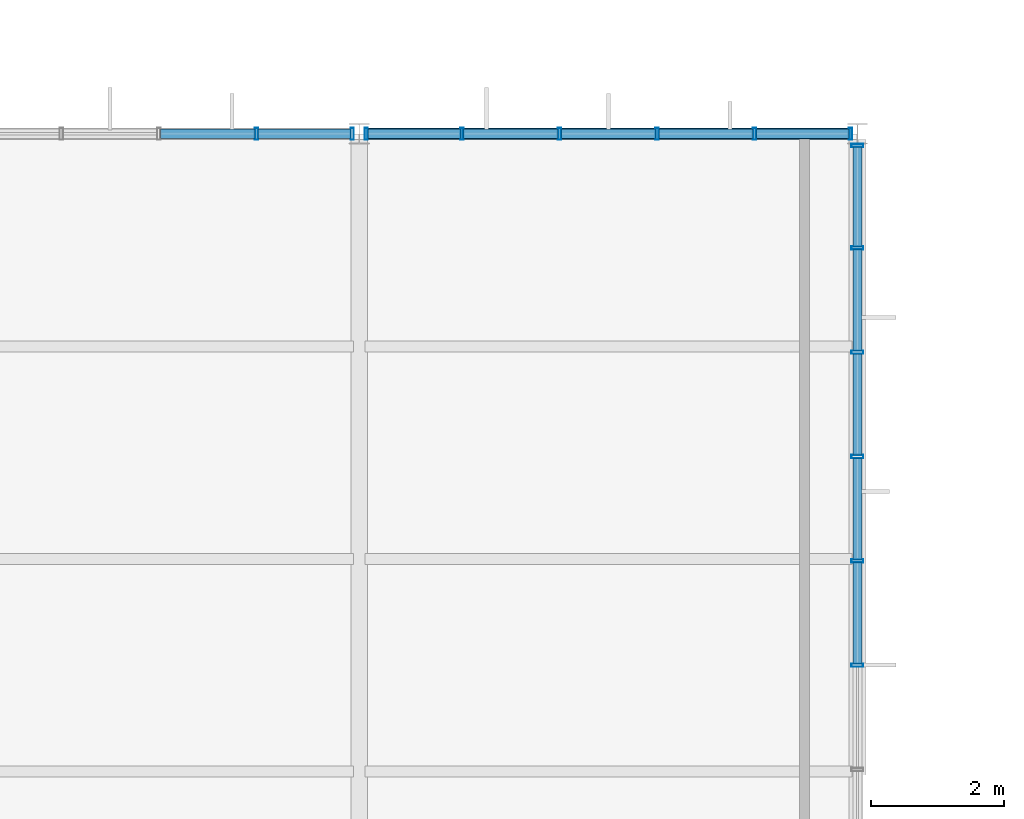
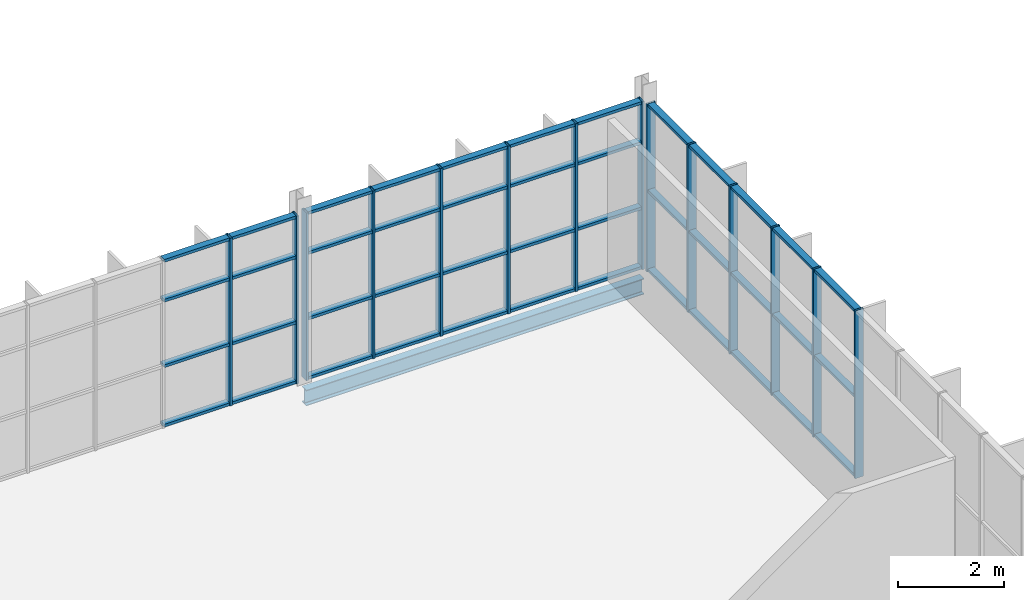
# One storey, part 65 of 324: 57 members, 1 beam, 3 elements without a shape of their own.
"""IFC4 building model written with IfcOpenShell, lengths in metres."""

from ifc_helpers import new_model, si_unit, direction, frame, origin, origin_2d, place, context, subcontext, project, spatial, hollow_rectangle, i_section, extrude, material, layer, layer_set, material_profile, profile_set, type_object, element, aggregate, save


model = new_model("IFC4")

# Units and contexts
model_context = context("Model", 3, precision=1e-05, world=origin(), true_north=direction((0.0, 1.0)))
body_context = subcontext(model_context, "Body", "Model", "MODEL_VIEW")
ifc_project = project(units=[si_unit("LENGTHUNIT", "METRE"), si_unit("AREAUNIT", "SQUARE_METRE"), si_unit("VOLUMEUNIT", "CUBIC_METRE"), si_unit("PLANEANGLEUNIT", "RADIAN"), si_unit("MASSUNIT", "GRAM", prefix="KILO")], contexts=[model_context])

# Site, building, storey
site_placement = place(None, origin())
site = spatial("IfcSite", under=ifc_project, at=site_placement, CompositionType="ELEMENT")
building_placement = place(site_placement, origin())
building = spatial("IfcBuilding", under=site, at=building_placement, Name="Solvenia Promenade Tram Depot", CompositionType="ELEMENT")
storey_placement = place(building_placement, frame((0.0, 0.0, 4.5)))
storey = spatial("IfcBuildingStorey", under=building, at=storey_placement, Name="L01", CompositionType="ELEMENT", Elevation=4.5)

# Curtain wall, members
ifc_material_1 = material(Name="Anodized aluminium AW-6063 T6", Category="aluminium")
ifc_layer = layer(ifc_material_1, 0.14990234375, Name="Anodized aluminium AW-6063 T6", Category="aluminium")
ifc_layer_set = layer_set([ifc_layer], Name="Anodized aluminium AW-6063 T6")
curtain_wall_type = type_object("IfcCurtainWallType", Name="CW-Court-1500", PredefinedType="NOTDEFINED", material=ifc_layer_set)
curtain_wall_1_placement = place(storey_placement, origin())
curtain_wall_1 = element("IfcCurtainWall", 1, at=curtain_wall_1_placement, inside=storey, type_object=curtain_wall_type, Name="Curtain Wall CW-V4N-L01-11", PredefinedType="NOTDEFINED")
ifc_material_profile_1 = material_profile(ifc_material_1, hollow_rectangle(XDim=0.179931640625, YDim=0.050048828125, WallThickness=0.00390625, at=origin_2d()), Name="ALU-M2", Category="aluminium")
ifc_profile_set_1 = profile_set([ifc_material_profile_1], Name="Anodized aluminium AW-6063 T6")
member_type_1 = type_object("IfcMemberType", Name="CWM-Mullion-2", PredefinedType="MULLION", material=ifc_profile_set_1)
member_1_placement = place(storey_placement, frame((80.951904296875, 24.0, 0.0), z_axis=(0.0, 0.0, 1.0), x_axis=(0.0, 1.0, 0.0)))
member_1 = element("IfcMember", 2, at=member_1_placement, type_object=member_type_1, Name="CW-5 mullion 5", PredefinedType="MULLION", context=body_context, shape_type="SweptSolid", body=[
    extrude(hollow_rectangle(XDim=0.179931640625, YDim=0.050048828125, WallThickness=0.00390625, at=origin_2d()), origin(), (0.0, 0.0, 1.0), 3.85009765625),
])
member_2_placement = place(storey_placement, frame((82.39501953125, 24.0, 0.0), z_axis=(0.0, 0.0, 1.0), x_axis=(0.0, 1.0, 0.0)))
member_2 = element("IfcMember", 3, at=member_2_placement, type_object=member_type_1, Name="CW-5 mullion 6", PredefinedType="MULLION", context=body_context, shape_type="SweptSolid", body=[
    extrude(hollow_rectangle(XDim=0.179931640625, YDim=0.050048828125, WallThickness=0.00390625, at=origin_2d()), origin(), (0.0, 0.0, 1.0), 3.85009765625),
])

curtain_wall_2_placement = place(storey_placement, origin())
curtain_wall_2 = element("IfcCurtainWall", 4, at=curtain_wall_2_placement, inside=storey, type_object=curtain_wall_type, Name="Curtain Wall CW-V4N-L01-12", PredefinedType="NOTDEFINED")
member_3_placement = place(storey_placement, frame((82.60498046875, 24.0, 0.0), z_axis=(0.0, 0.0, 1.0), x_axis=(0.0, 1.0, 0.0)))
member_3 = element("IfcMember", 5, at=member_3_placement, type_object=member_type_1, Name="CW-5 mullion 1", PredefinedType="MULLION", context=body_context, shape_type="SweptSolid", body=[
    extrude(hollow_rectangle(XDim=0.179931640625, YDim=0.050048828125, WallThickness=0.00390625, at=origin_2d()), origin(), (0.0, 0.0, 1.0), 3.85009765625),
])
member_4_placement = place(storey_placement, frame((84.048095703125, 24.0, 0.0), z_axis=(0.0, 0.0, 1.0), x_axis=(0.0, 1.0, 0.0)))
member_4 = element("IfcMember", 6, at=member_4_placement, type_object=member_type_1, Name="CW-5 mullion 2", PredefinedType="MULLION", context=body_context, shape_type="SweptSolid", body=[
    extrude(hollow_rectangle(XDim=0.179931640625, YDim=0.050048828125, WallThickness=0.00390625, at=origin_2d()), origin(), (0.0, 0.0, 1.0), 3.85009765625),
])
member_5_placement = place(storey_placement, frame((85.51611328125, 24.0, 0.0), z_axis=(0.0, 0.0, 1.0), x_axis=(0.0, 1.0, 0.0)))
member_5 = element("IfcMember", 7, at=member_5_placement, type_object=member_type_1, Name="CW-5 mullion 3", PredefinedType="MULLION", context=body_context, shape_type="SweptSolid", body=[
    extrude(hollow_rectangle(XDim=0.179931640625, YDim=0.050048828125, WallThickness=0.00390625, at=origin_2d()), origin(), (0.0, 0.0, 1.0), 3.85009765625),
])
member_6_placement = place(storey_placement, frame((86.98388671875, 24.0, 0.0), z_axis=(0.0, 0.0, 1.0), x_axis=(0.0, 1.0, 0.0)))
member_6 = element("IfcMember", 8, at=member_6_placement, type_object=member_type_1, Name="CW-5 mullion 4", PredefinedType="MULLION", context=body_context, shape_type="SweptSolid", body=[
    extrude(hollow_rectangle(XDim=0.179931640625, YDim=0.050048828125, WallThickness=0.00390625, at=origin_2d()), origin(), (0.0, 0.0, 1.0), 3.85009765625),
])
member_7_placement = place(storey_placement, frame((88.451904296875, 24.0, 0.0), z_axis=(0.0, 0.0, 1.0), x_axis=(0.0, 1.0, 0.0)))
member_7 = element("IfcMember", 9, at=member_7_placement, type_object=member_type_1, Name="CW-5 mullion 5", PredefinedType="MULLION", context=body_context, shape_type="SweptSolid", body=[
    extrude(hollow_rectangle(XDim=0.179931640625, YDim=0.050048828125, WallThickness=0.00390625, at=origin_2d()), origin(), (0.0, 0.0, 1.0), 3.85009765625),
])
member_8_placement = place(storey_placement, frame((89.89501953125, 24.0, 0.0), z_axis=(0.0, 0.0, 1.0), x_axis=(0.0, 1.0, 0.0)))
member_8 = element("IfcMember", 10, at=member_8_placement, type_object=member_type_1, Name="CW-5 mullion 6", PredefinedType="MULLION", context=body_context, shape_type="SweptSolid", body=[
    extrude(hollow_rectangle(XDim=0.179931640625, YDim=0.050048828125, WallThickness=0.00390625, at=origin_2d()), origin(), (0.0, 0.0, 1.0), 3.85009765625),
])

curtain_wall_3_placement = place(storey_placement, origin())
curtain_wall_3 = element("IfcCurtainWall", 11, at=curtain_wall_3_placement, inside=storey, type_object=curtain_wall_type, Name="Curtain Wall CW-V4E-L01", PredefinedType="NOTDEFINED")
member_9_placement = place(storey_placement, frame((90.0, 16.0, 0.0), z_axis=(0.0, 0.0, 1.0), x_axis=(-1.0, 0.0, 0.0)))
member_9 = element("IfcMember", 12, at=member_9_placement, type_object=member_type_1, Name="CW-5 mullion 6", PredefinedType="MULLION", context=body_context, shape_type="SweptSolid", body=[
    extrude(hollow_rectangle(XDim=0.179931640625, YDim=0.050048828125, WallThickness=0.00390625, at=origin_2d()), origin(), (0.0, 0.0, 1.0), 3.85009765625),
])
member_10_placement = place(storey_placement, frame((90.0, 17.570068359375, 0.0), z_axis=(0.0, 0.0, 1.0), x_axis=(-1.0, 0.0, 0.0)))
member_10 = element("IfcMember", 13, at=member_10_placement, type_object=member_type_1, Name="CW-5 mullion 7", PredefinedType="MULLION", context=body_context, shape_type="SweptSolid", body=[
    extrude(hollow_rectangle(XDim=0.179931640625, YDim=0.050048828125, WallThickness=0.00390625, at=origin_2d()), origin(), (0.0, 0.0, 1.0), 3.85009765625),
])
member_11_placement = place(storey_placement, frame((90.0, 19.139892578125, 0.0), z_axis=(0.0, 0.0, 1.0), x_axis=(-1.0, 0.0, 0.0)))
member_11 = element("IfcMember", 14, at=member_11_placement, type_object=member_type_1, Name="CW-5 mullion 8", PredefinedType="MULLION", context=body_context, shape_type="SweptSolid", body=[
    extrude(hollow_rectangle(XDim=0.179931640625, YDim=0.050048828125, WallThickness=0.00390625, at=origin_2d()), origin(), (0.0, 0.0, 1.0), 3.85009765625),
])
member_12_placement = place(storey_placement, frame((90.0, 20.7099609375, 0.0), z_axis=(0.0, 0.0, 1.0), x_axis=(-1.0, 0.0, 0.0)))
member_12 = element("IfcMember", 15, at=member_12_placement, type_object=member_type_1, Name="CW-5 mullion 9", PredefinedType="MULLION", context=body_context, shape_type="SweptSolid", body=[
    extrude(hollow_rectangle(XDim=0.179931640625, YDim=0.050048828125, WallThickness=0.00390625, at=origin_2d()), origin(), (0.0, 0.0, 1.0), 3.85009765625),
])
member_13_placement = place(storey_placement, frame((90.0, 22.280029296875, 0.0), z_axis=(0.0, 0.0, 1.0), x_axis=(-1.0, 0.0, 0.0)))
member_13 = element("IfcMember", 16, at=member_13_placement, type_object=member_type_1, Name="CW-5 mullion 10", PredefinedType="MULLION", context=body_context, shape_type="SweptSolid", body=[
    extrude(hollow_rectangle(XDim=0.179931640625, YDim=0.050048828125, WallThickness=0.00390625, at=origin_2d()), origin(), (0.0, 0.0, 1.0), 3.85009765625),
])
member_14_placement = place(storey_placement, frame((90.0, 23.824951171875, 0.0), z_axis=(0.0, 0.0, 1.0), x_axis=(-1.0, 0.0, 0.0)))
member_14 = element("IfcMember", 17, at=member_14_placement, type_object=member_type_1, Name="CW-5 mullion 11", PredefinedType="MULLION", context=body_context, shape_type="SweptSolid", body=[
    extrude(hollow_rectangle(XDim=0.179931640625, YDim=0.050048828125, WallThickness=0.00390625, at=origin_2d()), origin(), (0.0, 0.0, 1.0), 3.85009765625),
])

# Member
ifc_material_profile_2 = material_profile(ifc_material_1, hollow_rectangle(XDim=0.139892578125, YDim=0.06494140625, WallThickness=0.00390625, at=origin_2d()), Name="ALU-T2", Category="aluminium")
ifc_profile_set_2 = profile_set([ifc_material_profile_2], Name="Anodized aluminium AW-6063 T6")
member_type_2 = type_object("IfcMemberType", Name="CWT-Transom-2", PredefinedType="USERDEFINED", material=ifc_profile_set_2)
member_15_placement = place(storey_placement, frame((79.509033203125, 24.0, 0.032470703125), z_axis=(1.0, 0.0, 0.0), x_axis=(0.0, 1.0, 0.0)))
member_15 = element("IfcMember", 18, at=member_15_placement, type_object=member_type_2, Name="CW-5 transom 4.1", ObjectType="TRANSOM", PredefinedType="USERDEFINED", context=body_context, shape_type="SweptSolid", body=[
    extrude(hollow_rectangle(XDim=0.139892578125, YDim=0.06494140625, WallThickness=0.00390625, at=origin_2d()), origin(), (0.0, 0.0, 1.0), 1.41796875),
])

member_16_placement = place(storey_placement, frame((79.509033203125, 24.0, 1.39990234375), z_axis=(1.0, 0.0, 0.0), x_axis=(0.0, 1.0, 0.0)))
member_16 = element("IfcMember", 19, at=member_16_placement, type_object=member_type_2, Name="CW-5 transom 4.2", ObjectType="TRANSOM", PredefinedType="USERDEFINED", context=body_context, shape_type="SweptSolid", body=[
    extrude(hollow_rectangle(XDim=0.139892578125, YDim=0.06494140625, WallThickness=0.00390625, at=origin_2d()), origin(), (0.0, 0.0, 1.0), 1.41796875),
])

member_17_placement = place(storey_placement, frame((79.509033203125, 24.0, 2.89990234375), z_axis=(1.0, 0.0, 0.0), x_axis=(0.0, 1.0, 0.0)))
member_17 = element("IfcMember", 20, at=member_17_placement, type_object=member_type_2, Name="CW-5 transom 4.3", ObjectType="TRANSOM", PredefinedType="USERDEFINED", context=body_context, shape_type="SweptSolid", body=[
    extrude(hollow_rectangle(XDim=0.139892578125, YDim=0.06494140625, WallThickness=0.00390625, at=origin_2d()), origin(), (0.0, 0.0, 1.0), 1.41796875),
])

member_18_placement = place(storey_placement, frame((79.509033203125, 24.0, 3.8173828125), z_axis=(1.0, 0.0, 0.0), x_axis=(0.0, 1.0, 0.0)))
member_18 = element("IfcMember", 21, at=member_18_placement, type_object=member_type_2, Name="CW-5 transom 4.4", ObjectType="TRANSOM", PredefinedType="USERDEFINED", context=body_context, shape_type="SweptSolid", body=[
    extrude(hollow_rectangle(XDim=0.139892578125, YDim=0.06494140625, WallThickness=0.00390625, at=origin_2d()), origin(), (0.0, 0.0, 1.0), 1.41796875),
])

member_19_placement = place(storey_placement, frame((80.97705078125, 24.0, 0.032470703125), z_axis=(1.0, 0.0, 0.0), x_axis=(0.0, 1.0, 0.0)))
member_19 = element("IfcMember", 22, at=member_19_placement, type_object=member_type_2, Name="CW-5 transom 5.1", ObjectType="TRANSOM", PredefinedType="USERDEFINED", context=body_context, shape_type="SweptSolid", body=[
    extrude(hollow_rectangle(XDim=0.139892578125, YDim=0.06494140625, WallThickness=0.00390625, at=origin_2d()), origin(), (0.0, 0.0, 1.0), 1.39306640625),
])

member_20_placement = place(storey_placement, frame((80.97705078125, 24.0, 1.39990234375), z_axis=(1.0, 0.0, 0.0), x_axis=(0.0, 1.0, 0.0)))
member_20 = element("IfcMember", 23, at=member_20_placement, type_object=member_type_2, Name="CW-5 transom 5.2", ObjectType="TRANSOM", PredefinedType="USERDEFINED", context=body_context, shape_type="SweptSolid", body=[
    extrude(hollow_rectangle(XDim=0.139892578125, YDim=0.06494140625, WallThickness=0.00390625, at=origin_2d()), origin(), (0.0, 0.0, 1.0), 1.39306640625),
])

member_21_placement = place(storey_placement, frame((80.97705078125, 24.0, 2.89990234375), z_axis=(1.0, 0.0, 0.0), x_axis=(0.0, 1.0, 0.0)))
member_21 = element("IfcMember", 24, at=member_21_placement, type_object=member_type_2, Name="CW-5 transom 5.3", ObjectType="TRANSOM", PredefinedType="USERDEFINED", context=body_context, shape_type="SweptSolid", body=[
    extrude(hollow_rectangle(XDim=0.139892578125, YDim=0.06494140625, WallThickness=0.00390625, at=origin_2d()), origin(), (0.0, 0.0, 1.0), 1.39306640625),
])

member_22_placement = place(storey_placement, frame((80.97705078125, 24.0, 3.8173828125), z_axis=(1.0, 0.0, 0.0), x_axis=(0.0, 1.0, 0.0)))
member_22 = element("IfcMember", 25, at=member_22_placement, type_object=member_type_2, Name="CW-5 transom 5.4", ObjectType="TRANSOM", PredefinedType="USERDEFINED", context=body_context, shape_type="SweptSolid", body=[
    extrude(hollow_rectangle(XDim=0.139892578125, YDim=0.06494140625, WallThickness=0.00390625, at=origin_2d()), origin(), (0.0, 0.0, 1.0), 1.39306640625),
])

aggregate(curtain_wall_1, [member_1, member_2, member_15, member_16, member_17, member_18, member_19, member_20, member_21, member_22])

member_23_placement = place(storey_placement, frame((82.6298828125, 24.0, 0.032470703125), z_axis=(1.0, 0.0, 0.0), x_axis=(0.0, 1.0, 0.0)))
member_23 = element("IfcMember", 26, at=member_23_placement, type_object=member_type_2, Name="CW-5 transom 1.1", ObjectType="TRANSOM", PredefinedType="USERDEFINED", context=body_context, shape_type="SweptSolid", body=[
    extrude(hollow_rectangle(XDim=0.139892578125, YDim=0.06494140625, WallThickness=0.00390625, at=origin_2d()), origin(), (0.0, 0.0, 1.0), 1.39306640625),
])

member_24_placement = place(storey_placement, frame((82.6298828125, 24.0, 1.39990234375), z_axis=(1.0, 0.0, 0.0), x_axis=(0.0, 1.0, 0.0)))
member_24 = element("IfcMember", 27, at=member_24_placement, type_object=member_type_2, Name="CW-5 transom 1.2", ObjectType="TRANSOM", PredefinedType="USERDEFINED", context=body_context, shape_type="SweptSolid", body=[
    extrude(hollow_rectangle(XDim=0.139892578125, YDim=0.06494140625, WallThickness=0.00390625, at=origin_2d()), origin(), (0.0, 0.0, 1.0), 1.39306640625),
])

member_25_placement = place(storey_placement, frame((82.6298828125, 24.0, 2.89990234375), z_axis=(1.0, 0.0, 0.0), x_axis=(0.0, 1.0, 0.0)))
member_25 = element("IfcMember", 28, at=member_25_placement, type_object=member_type_2, Name="CW-5 transom 1.3", ObjectType="TRANSOM", PredefinedType="USERDEFINED", context=body_context, shape_type="SweptSolid", body=[
    extrude(hollow_rectangle(XDim=0.139892578125, YDim=0.06494140625, WallThickness=0.00390625, at=origin_2d()), origin(), (0.0, 0.0, 1.0), 1.39306640625),
])

member_26_placement = place(storey_placement, frame((82.6298828125, 24.0, 3.8173828125), z_axis=(1.0, 0.0, 0.0), x_axis=(0.0, 1.0, 0.0)))
member_26 = element("IfcMember", 29, at=member_26_placement, type_object=member_type_2, Name="CW-5 transom 1.4", ObjectType="TRANSOM", PredefinedType="USERDEFINED", context=body_context, shape_type="SweptSolid", body=[
    extrude(hollow_rectangle(XDim=0.139892578125, YDim=0.06494140625, WallThickness=0.00390625, at=origin_2d()), origin(), (0.0, 0.0, 1.0), 1.39306640625),
])

member_27_placement = place(storey_placement, frame((84.072998046875, 24.0, 0.032470703125), z_axis=(1.0, 0.0, 0.0), x_axis=(0.0, 1.0, 0.0)))
member_27 = element("IfcMember", 30, at=member_27_placement, type_object=member_type_2, Name="CW-5 transom 2.1", ObjectType="TRANSOM", PredefinedType="USERDEFINED", context=body_context, shape_type="SweptSolid", body=[
    extrude(hollow_rectangle(XDim=0.139892578125, YDim=0.06494140625, WallThickness=0.00390625, at=origin_2d()), origin(), (0.0, 0.0, 1.0), 1.41796875),
])

member_28_placement = place(storey_placement, frame((84.072998046875, 24.0, 1.39990234375), z_axis=(1.0, 0.0, 0.0), x_axis=(0.0, 1.0, 0.0)))
member_28 = element("IfcMember", 31, at=member_28_placement, type_object=member_type_2, Name="CW-5 transom 2.2", ObjectType="TRANSOM", PredefinedType="USERDEFINED", context=body_context, shape_type="SweptSolid", body=[
    extrude(hollow_rectangle(XDim=0.139892578125, YDim=0.06494140625, WallThickness=0.00390625, at=origin_2d()), origin(), (0.0, 0.0, 1.0), 1.41796875),
])

member_29_placement = place(storey_placement, frame((84.072998046875, 24.0, 2.89990234375), z_axis=(1.0, 0.0, 0.0), x_axis=(0.0, 1.0, 0.0)))
member_29 = element("IfcMember", 32, at=member_29_placement, type_object=member_type_2, Name="CW-5 transom 2.3", ObjectType="TRANSOM", PredefinedType="USERDEFINED", context=body_context, shape_type="SweptSolid", body=[
    extrude(hollow_rectangle(XDim=0.139892578125, YDim=0.06494140625, WallThickness=0.00390625, at=origin_2d()), origin(), (0.0, 0.0, 1.0), 1.41796875),
])

member_30_placement = place(storey_placement, frame((84.072998046875, 24.0, 3.8173828125), z_axis=(1.0, 0.0, 0.0), x_axis=(0.0, 1.0, 0.0)))
member_30 = element("IfcMember", 33, at=member_30_placement, type_object=member_type_2, Name="CW-5 transom 2.4", ObjectType="TRANSOM", PredefinedType="USERDEFINED", context=body_context, shape_type="SweptSolid", body=[
    extrude(hollow_rectangle(XDim=0.139892578125, YDim=0.06494140625, WallThickness=0.00390625, at=origin_2d()), origin(), (0.0, 0.0, 1.0), 1.41796875),
])

member_31_placement = place(storey_placement, frame((85.541015625, 24.0, 0.032470703125), z_axis=(1.0, 0.0, 0.0), x_axis=(0.0, 1.0, 0.0)))
member_31 = element("IfcMember", 34, at=member_31_placement, type_object=member_type_2, Name="CW-5 transom 3.1", ObjectType="TRANSOM", PredefinedType="USERDEFINED", context=body_context, shape_type="SweptSolid", body=[
    extrude(hollow_rectangle(XDim=0.139892578125, YDim=0.06494140625, WallThickness=0.00390625, at=origin_2d()), origin(), (0.0, 0.0, 1.0), 1.41796875),
])

member_32_placement = place(storey_placement, frame((85.541015625, 24.0, 1.39990234375), z_axis=(1.0, 0.0, 0.0), x_axis=(0.0, 1.0, 0.0)))
member_32 = element("IfcMember", 35, at=member_32_placement, type_object=member_type_2, Name="CW-5 transom 3.2", ObjectType="TRANSOM", PredefinedType="USERDEFINED", context=body_context, shape_type="SweptSolid", body=[
    extrude(hollow_rectangle(XDim=0.139892578125, YDim=0.06494140625, WallThickness=0.00390625, at=origin_2d()), origin(), (0.0, 0.0, 1.0), 1.41796875),
])

member_33_placement = place(storey_placement, frame((85.541015625, 24.0, 2.89990234375), z_axis=(1.0, 0.0, 0.0), x_axis=(0.0, 1.0, 0.0)))
member_33 = element("IfcMember", 36, at=member_33_placement, type_object=member_type_2, Name="CW-5 transom 3.3", ObjectType="TRANSOM", PredefinedType="USERDEFINED", context=body_context, shape_type="SweptSolid", body=[
    extrude(hollow_rectangle(XDim=0.139892578125, YDim=0.06494140625, WallThickness=0.00390625, at=origin_2d()), origin(), (0.0, 0.0, 1.0), 1.41796875),
])

member_34_placement = place(storey_placement, frame((85.541015625, 24.0, 3.8173828125), z_axis=(1.0, 0.0, 0.0), x_axis=(0.0, 1.0, 0.0)))
member_34 = element("IfcMember", 37, at=member_34_placement, type_object=member_type_2, Name="CW-5 transom 3.4", ObjectType="TRANSOM", PredefinedType="USERDEFINED", context=body_context, shape_type="SweptSolid", body=[
    extrude(hollow_rectangle(XDim=0.139892578125, YDim=0.06494140625, WallThickness=0.00390625, at=origin_2d()), origin(), (0.0, 0.0, 1.0), 1.41796875),
])

member_35_placement = place(storey_placement, frame((87.009033203125, 24.0, 0.032470703125), z_axis=(1.0, 0.0, 0.0), x_axis=(0.0, 1.0, 0.0)))
member_35 = element("IfcMember", 38, at=member_35_placement, type_object=member_type_2, Name="CW-5 transom 4.1", ObjectType="TRANSOM", PredefinedType="USERDEFINED", context=body_context, shape_type="SweptSolid", body=[
    extrude(hollow_rectangle(XDim=0.139892578125, YDim=0.06494140625, WallThickness=0.00390625, at=origin_2d()), origin(), (0.0, 0.0, 1.0), 1.41796875),
])

member_36_placement = place(storey_placement, frame((87.009033203125, 24.0, 1.39990234375), z_axis=(1.0, 0.0, 0.0), x_axis=(0.0, 1.0, 0.0)))
member_36 = element("IfcMember", 39, at=member_36_placement, type_object=member_type_2, Name="CW-5 transom 4.2", ObjectType="TRANSOM", PredefinedType="USERDEFINED", context=body_context, shape_type="SweptSolid", body=[
    extrude(hollow_rectangle(XDim=0.139892578125, YDim=0.06494140625, WallThickness=0.00390625, at=origin_2d()), origin(), (0.0, 0.0, 1.0), 1.41796875),
])

member_37_placement = place(storey_placement, frame((87.009033203125, 24.0, 2.89990234375), z_axis=(1.0, 0.0, 0.0), x_axis=(0.0, 1.0, 0.0)))
member_37 = element("IfcMember", 40, at=member_37_placement, type_object=member_type_2, Name="CW-5 transom 4.3", ObjectType="TRANSOM", PredefinedType="USERDEFINED", context=body_context, shape_type="SweptSolid", body=[
    extrude(hollow_rectangle(XDim=0.139892578125, YDim=0.06494140625, WallThickness=0.00390625, at=origin_2d()), origin(), (0.0, 0.0, 1.0), 1.41796875),
])

member_38_placement = place(storey_placement, frame((87.009033203125, 24.0, 3.8173828125), z_axis=(1.0, 0.0, 0.0), x_axis=(0.0, 1.0, 0.0)))
member_38 = element("IfcMember", 41, at=member_38_placement, type_object=member_type_2, Name="CW-5 transom 4.4", ObjectType="TRANSOM", PredefinedType="USERDEFINED", context=body_context, shape_type="SweptSolid", body=[
    extrude(hollow_rectangle(XDim=0.139892578125, YDim=0.06494140625, WallThickness=0.00390625, at=origin_2d()), origin(), (0.0, 0.0, 1.0), 1.41796875),
])

member_39_placement = place(storey_placement, frame((88.47705078125, 24.0, 0.032470703125), z_axis=(1.0, 0.0, 0.0), x_axis=(0.0, 1.0, 0.0)))
member_39 = element("IfcMember", 42, at=member_39_placement, type_object=member_type_2, Name="CW-5 transom 5.1", ObjectType="TRANSOM", PredefinedType="USERDEFINED", context=body_context, shape_type="SweptSolid", body=[
    extrude(hollow_rectangle(XDim=0.139892578125, YDim=0.06494140625, WallThickness=0.00390625, at=origin_2d()), origin(), (0.0, 0.0, 1.0), 1.39306640625),
])

member_40_placement = place(storey_placement, frame((88.47705078125, 24.0, 1.39990234375), z_axis=(1.0, 0.0, 0.0), x_axis=(0.0, 1.0, 0.0)))
member_40 = element("IfcMember", 43, at=member_40_placement, type_object=member_type_2, Name="CW-5 transom 5.2", ObjectType="TRANSOM", PredefinedType="USERDEFINED", context=body_context, shape_type="SweptSolid", body=[
    extrude(hollow_rectangle(XDim=0.139892578125, YDim=0.06494140625, WallThickness=0.00390625, at=origin_2d()), origin(), (0.0, 0.0, 1.0), 1.39306640625),
])

member_41_placement = place(storey_placement, frame((88.47705078125, 24.0, 2.89990234375), z_axis=(1.0, 0.0, 0.0), x_axis=(0.0, 1.0, 0.0)))
member_41 = element("IfcMember", 44, at=member_41_placement, type_object=member_type_2, Name="CW-5 transom 5.3", ObjectType="TRANSOM", PredefinedType="USERDEFINED", context=body_context, shape_type="SweptSolid", body=[
    extrude(hollow_rectangle(XDim=0.139892578125, YDim=0.06494140625, WallThickness=0.00390625, at=origin_2d()), origin(), (0.0, 0.0, 1.0), 1.39306640625),
])

member_42_placement = place(storey_placement, frame((88.47705078125, 24.0, 3.8173828125), z_axis=(1.0, 0.0, 0.0), x_axis=(0.0, 1.0, 0.0)))
member_42 = element("IfcMember", 45, at=member_42_placement, type_object=member_type_2, Name="CW-5 transom 5.4", ObjectType="TRANSOM", PredefinedType="USERDEFINED", context=body_context, shape_type="SweptSolid", body=[
    extrude(hollow_rectangle(XDim=0.139892578125, YDim=0.06494140625, WallThickness=0.00390625, at=origin_2d()), origin(), (0.0, 0.0, 1.0), 1.39306640625),
])

aggregate(curtain_wall_2, [member_3, member_4, member_5, member_6, member_7, member_8, member_23, member_24, member_25, member_26, member_27, member_28, member_29, member_30, member_31, member_32, member_33, member_34, member_35, member_36, member_37, member_38, member_39, member_40, member_41, member_42])

member_43_placement = place(storey_placement, frame((90.0, 16.02490234375, 0.032470703125), z_axis=(0.0, 1.0, 0.0), x_axis=(-1.0, 0.0, 0.0)))
member_43 = element("IfcMember", 46, at=member_43_placement, type_object=member_type_2, Name="CW-5 transom 6.1", ObjectType="TRANSOM", PredefinedType="USERDEFINED", context=body_context, shape_type="SweptSolid", body=[
    extrude(hollow_rectangle(XDim=0.139892578125, YDim=0.06494140625, WallThickness=0.00390625, at=origin_2d()), origin(), (0.0, 0.0, 1.0), 1.52001953125),
])

member_44_placement = place(storey_placement, frame((90.0, 16.02490234375, 1.85009765625), z_axis=(0.0, 1.0, 0.0), x_axis=(-1.0, 0.0, 0.0)))
member_44 = element("IfcMember", 47, at=member_44_placement, type_object=member_type_2, Name="CW-5 transom 6.2", ObjectType="TRANSOM", PredefinedType="USERDEFINED", context=body_context, shape_type="SweptSolid", body=[
    extrude(hollow_rectangle(XDim=0.139892578125, YDim=0.06494140625, WallThickness=0.00390625, at=origin_2d()), origin(), (0.0, 0.0, 1.0), 1.52001953125),
])

member_45_placement = place(storey_placement, frame((90.0, 16.02490234375, 3.8173828125), z_axis=(0.0, 1.0, 0.0), x_axis=(-1.0, 0.0, 0.0)))
member_45 = element("IfcMember", 48, at=member_45_placement, type_object=member_type_2, Name="CW-5 transom 6.3", ObjectType="TRANSOM", PredefinedType="USERDEFINED", context=body_context, shape_type="SweptSolid", body=[
    extrude(hollow_rectangle(XDim=0.139892578125, YDim=0.06494140625, WallThickness=0.00390625, at=origin_2d()), origin(), (0.0, 0.0, 1.0), 1.52001953125),
])

member_46_placement = place(storey_placement, frame((90.0, 17.594970703125, 0.032470703125), z_axis=(0.0, 1.0, 0.0), x_axis=(-1.0, 0.0, 0.0)))
member_46 = element("IfcMember", 49, at=member_46_placement, type_object=member_type_2, Name="CW-5 transom 7.1", ObjectType="TRANSOM", PredefinedType="USERDEFINED", context=body_context, shape_type="SweptSolid", body=[
    extrude(hollow_rectangle(XDim=0.139892578125, YDim=0.06494140625, WallThickness=0.00390625, at=origin_2d()), origin(), (0.0, 0.0, 1.0), 1.52001953125),
])

member_47_placement = place(storey_placement, frame((90.0, 17.594970703125, 1.85009765625), z_axis=(0.0, 1.0, 0.0), x_axis=(-1.0, 0.0, 0.0)))
member_47 = element("IfcMember", 50, at=member_47_placement, type_object=member_type_2, Name="CW-5 transom 7.2", ObjectType="TRANSOM", PredefinedType="USERDEFINED", context=body_context, shape_type="SweptSolid", body=[
    extrude(hollow_rectangle(XDim=0.139892578125, YDim=0.06494140625, WallThickness=0.00390625, at=origin_2d()), origin(), (0.0, 0.0, 1.0), 1.52001953125),
])

member_48_placement = place(storey_placement, frame((90.0, 17.594970703125, 3.8173828125), z_axis=(0.0, 1.0, 0.0), x_axis=(-1.0, 0.0, 0.0)))
member_48 = element("IfcMember", 51, at=member_48_placement, type_object=member_type_2, Name="CW-5 transom 7.3", ObjectType="TRANSOM", PredefinedType="USERDEFINED", context=body_context, shape_type="SweptSolid", body=[
    extrude(hollow_rectangle(XDim=0.139892578125, YDim=0.06494140625, WallThickness=0.00390625, at=origin_2d()), origin(), (0.0, 0.0, 1.0), 1.52001953125),
])

member_49_placement = place(storey_placement, frame((90.0, 19.1650390625, 0.032470703125), z_axis=(0.0, 1.0, 0.0), x_axis=(-1.0, 0.0, 0.0)))
member_49 = element("IfcMember", 52, at=member_49_placement, type_object=member_type_2, Name="CW-5 transom 8.1", ObjectType="TRANSOM", PredefinedType="USERDEFINED", context=body_context, shape_type="SweptSolid", body=[
    extrude(hollow_rectangle(XDim=0.139892578125, YDim=0.06494140625, WallThickness=0.00390625, at=origin_2d()), origin(), (0.0, 0.0, 1.0), 1.52001953125),
])

member_50_placement = place(storey_placement, frame((90.0, 19.1650390625, 1.85009765625), z_axis=(0.0, 1.0, 0.0), x_axis=(-1.0, 0.0, 0.0)))
member_50 = element("IfcMember", 53, at=member_50_placement, type_object=member_type_2, Name="CW-5 transom 8.2", ObjectType="TRANSOM", PredefinedType="USERDEFINED", context=body_context, shape_type="SweptSolid", body=[
    extrude(hollow_rectangle(XDim=0.139892578125, YDim=0.06494140625, WallThickness=0.00390625, at=origin_2d()), origin(), (0.0, 0.0, 1.0), 1.52001953125),
])

member_51_placement = place(storey_placement, frame((90.0, 19.1650390625, 3.8173828125), z_axis=(0.0, 1.0, 0.0), x_axis=(-1.0, 0.0, 0.0)))
member_51 = element("IfcMember", 54, at=member_51_placement, type_object=member_type_2, Name="CW-5 transom 8.3", ObjectType="TRANSOM", PredefinedType="USERDEFINED", context=body_context, shape_type="SweptSolid", body=[
    extrude(hollow_rectangle(XDim=0.139892578125, YDim=0.06494140625, WallThickness=0.00390625, at=origin_2d()), origin(), (0.0, 0.0, 1.0), 1.52001953125),
])

member_52_placement = place(storey_placement, frame((90.0, 20.735107421875, 0.032470703125), z_axis=(0.0, 1.0, 0.0), x_axis=(-1.0, 0.0, 0.0)))
member_52 = element("IfcMember", 55, at=member_52_placement, type_object=member_type_2, Name="CW-5 transom 9.1", ObjectType="TRANSOM", PredefinedType="USERDEFINED", context=body_context, shape_type="SweptSolid", body=[
    extrude(hollow_rectangle(XDim=0.139892578125, YDim=0.06494140625, WallThickness=0.00390625, at=origin_2d()), origin(), (0.0, 0.0, 1.0), 1.519775390625),
])

member_53_placement = place(storey_placement, frame((90.0, 20.735107421875, 1.85009765625), z_axis=(0.0, 1.0, 0.0), x_axis=(-1.0, 0.0, 0.0)))
member_53 = element("IfcMember", 56, at=member_53_placement, type_object=member_type_2, Name="CW-5 transom 9.2", ObjectType="TRANSOM", PredefinedType="USERDEFINED", context=body_context, shape_type="SweptSolid", body=[
    extrude(hollow_rectangle(XDim=0.139892578125, YDim=0.06494140625, WallThickness=0.00390625, at=origin_2d()), origin(), (0.0, 0.0, 1.0), 1.519775390625),
])

member_54_placement = place(storey_placement, frame((90.0, 20.735107421875, 3.8173828125), z_axis=(0.0, 1.0, 0.0), x_axis=(-1.0, 0.0, 0.0)))
member_54 = element("IfcMember", 57, at=member_54_placement, type_object=member_type_2, Name="CW-5 transom 9.3", ObjectType="TRANSOM", PredefinedType="USERDEFINED", context=body_context, shape_type="SweptSolid", body=[
    extrude(hollow_rectangle(XDim=0.139892578125, YDim=0.06494140625, WallThickness=0.00390625, at=origin_2d()), origin(), (0.0, 0.0, 1.0), 1.519775390625),
])

member_55_placement = place(storey_placement, frame((90.0, 22.304931640625, 0.032470703125), z_axis=(0.0, 1.0, 0.0), x_axis=(-1.0, 0.0, 0.0)))
member_55 = element("IfcMember", 58, at=member_55_placement, type_object=member_type_2, Name="CW-5 transom 10.1", ObjectType="TRANSOM", PredefinedType="USERDEFINED", context=body_context, shape_type="SweptSolid", body=[
    extrude(hollow_rectangle(XDim=0.139892578125, YDim=0.06494140625, WallThickness=0.00390625, at=origin_2d()), origin(), (0.0, 0.0, 1.0), 1.4951171875),
])

member_56_placement = place(storey_placement, frame((90.0, 22.304931640625, 1.85009765625), z_axis=(0.0, 1.0, 0.0), x_axis=(-1.0, 0.0, 0.0)))
member_56 = element("IfcMember", 59, at=member_56_placement, type_object=member_type_2, Name="CW-5 transom 10.2", ObjectType="TRANSOM", PredefinedType="USERDEFINED", context=body_context, shape_type="SweptSolid", body=[
    extrude(hollow_rectangle(XDim=0.139892578125, YDim=0.06494140625, WallThickness=0.00390625, at=origin_2d()), origin(), (0.0, 0.0, 1.0), 1.4951171875),
])

member_57_placement = place(storey_placement, frame((90.0, 22.304931640625, 3.8173828125), z_axis=(0.0, 1.0, 0.0), x_axis=(-1.0, 0.0, 0.0)))
member_57 = element("IfcMember", 60, at=member_57_placement, type_object=member_type_2, Name="CW-5 transom 10.3", ObjectType="TRANSOM", PredefinedType="USERDEFINED", context=body_context, shape_type="SweptSolid", body=[
    extrude(hollow_rectangle(XDim=0.139892578125, YDim=0.06494140625, WallThickness=0.00390625, at=origin_2d()), origin(), (0.0, 0.0, 1.0), 1.4951171875),
])

aggregate(curtain_wall_3, [member_9, member_10, member_11, member_12, member_13, member_14, member_43, member_44, member_45, member_46, member_47, member_48, member_49, member_50, member_51, member_52, member_53, member_54, member_55, member_56, member_57])

# Beam
ifc_material_2 = material(Name="Structural steel ASTM A992 Gr. 50", Category="steel")
ifc_material_profile_3 = material_profile(ifc_material_2, i_section(OverallWidth=0.172119140625, OverallDepth=0.35791015625, WebThickness=0.0078125, FlangeThickness=0.01318359375, FilletRadius=0.010986328125, at=origin_2d()), Name="W360x57", Category="steel")
ifc_profile_set_3 = profile_set([ifc_material_profile_3], Name="Structural steel ASTM A992 Gr. 50")
beam_type = type_object("IfcBeamType", Name="Spandrel-W360x57", PredefinedType="SPANDREL", material=ifc_profile_set_3)
beam_placement = place(storey_placement, frame((82.5849609375, 24.0, -0.39892578125), z_axis=(1.0, 0.0, 0.0), x_axis=(0.0, 1.0, 0.0)))
element("IfcBeam", 61, at=beam_placement, inside=storey, type_object=beam_type, Name="Perimeter Spandrel BM-L01-0329", PredefinedType="SPANDREL", context=body_context, shape_type="SweptSolid", body=[
    extrude(i_section(OverallWidth=0.172119140625, OverallDepth=0.35791015625, WebThickness=0.0078125, FlangeThickness=0.01318359375, FilletRadius=0.010986328125, at=origin_2d()), origin(), (0.0, 0.0, 1.0), 7.330078125),
])

save(model, "model.ifc")
